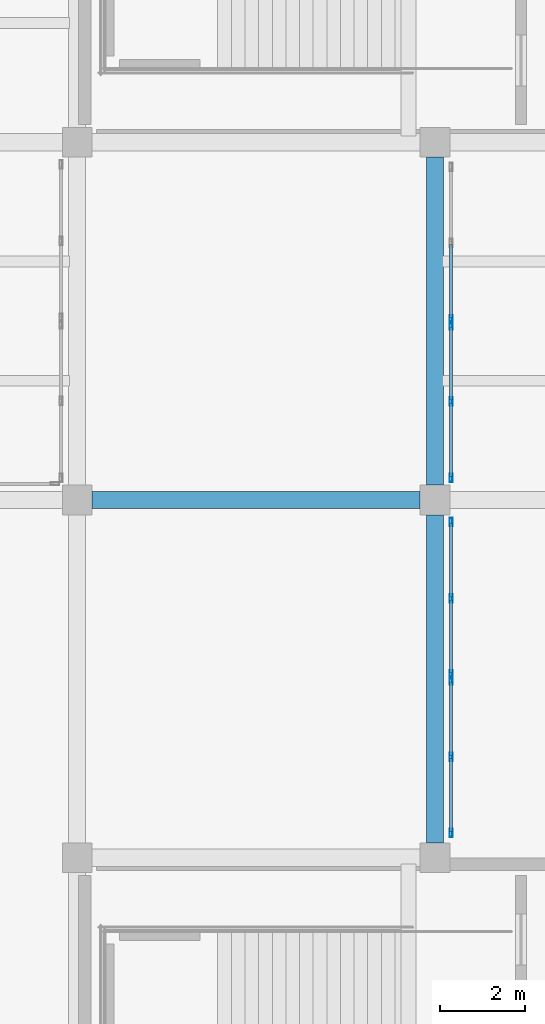
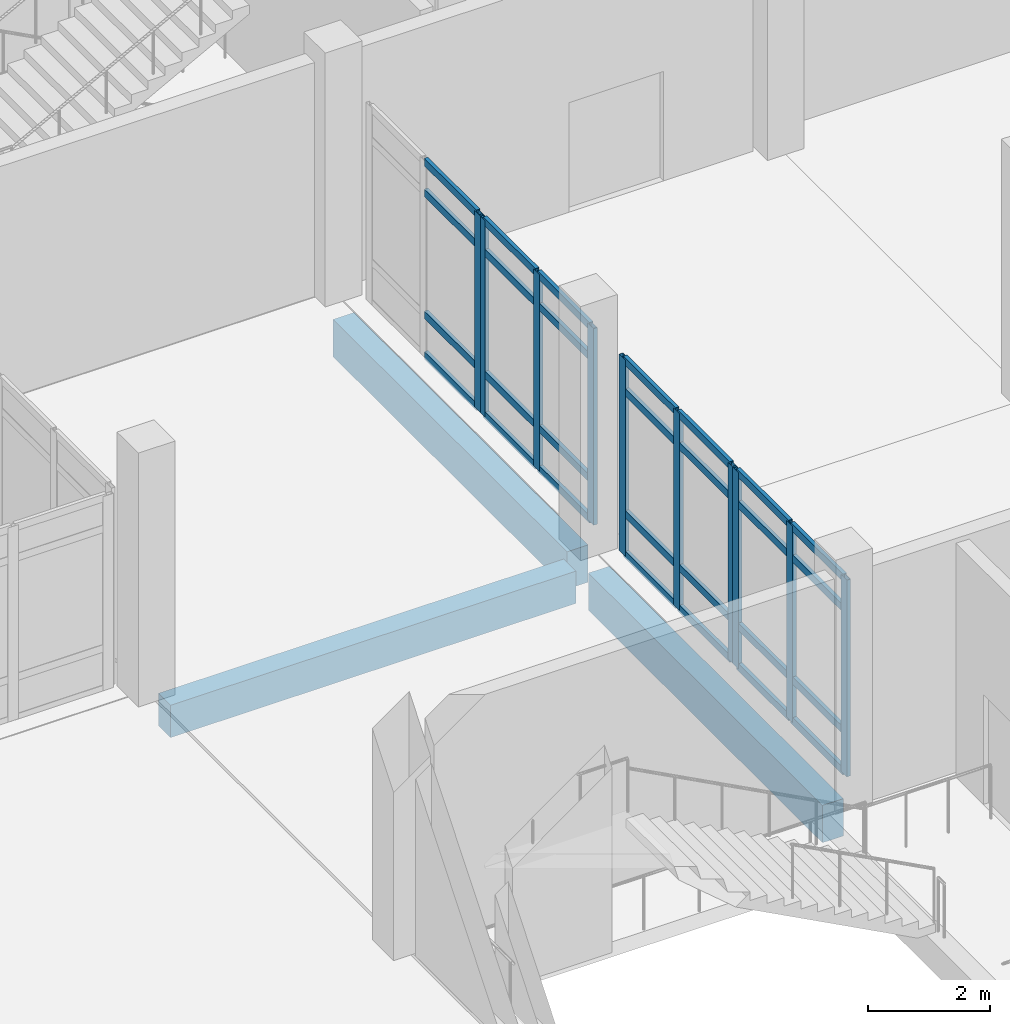
# One storey, part 16 of 64: 38 members, 3 beams, 4 elements without a shape of their own.
"""IFC4 building model written with IfcOpenShell, lengths in metres."""

from ifc_helpers import new_model, si_unit, derived_unit, direction, frame, origin, origin_2d, place, context, subcontext, project, spatial, rectangle, hollow_rectangle, extrude, material, layer, layer_set, material_profile, profile_set, type_object, element, aggregate, save


model = new_model("IFC4")

# Units and contexts
model_context = context("Model", 3, precision=1e-05, world=origin(), true_north=direction((0.0, 1.0)))
body_context = subcontext(model_context, "Body", "Model", "MODEL_VIEW")
ifc_project = project(units=[si_unit("LENGTHUNIT", "METRE"), si_unit("AREAUNIT", "SQUARE_METRE"), si_unit("VOLUMEUNIT", "CUBIC_METRE"), si_unit("PLANEANGLEUNIT", "RADIAN"), si_unit("MASSUNIT", "GRAM", prefix="KILO"), derived_unit("THERMALTRANSMITTANCEUNIT", [(si_unit("POWERUNIT", "WATT"), 1), (si_unit("LENGTHUNIT", "METRE"), -2), (si_unit("THERMODYNAMICTEMPERATUREUNIT", "KELVIN"), -1)])], contexts=[model_context])

# Site, building, storey
site_placement = place(None, origin())
site = spatial("IfcSite", under=ifc_project, at=site_placement, CompositionType="ELEMENT")
building_placement = place(site_placement, origin())
building = spatial("IfcBuilding", under=site, at=building_placement, Name="Elbkamm Science Centre", CompositionType="ELEMENT")
storey_placement = place(building_placement, origin())
storey = spatial("IfcBuildingStorey", under=building, at=storey_placement, Name="L00", CompositionType="ELEMENT", Elevation=0.0)

# Beams
ifc_material_1 = material(Name="Concrete C40/50", Category="concrete")
ifc_material_profile_1 = material_profile(ifc_material_1, rectangle(XDim=0.39990234375, YDim=0.64990234375, at=origin_2d()), Name="RC 400x650")
ifc_profile_set_1 = profile_set([ifc_material_profile_1], Name="Concrete C40/50")
beam_type_1 = type_object("IfcBeamType", Name="BM-RC-400x650", PredefinedType="BEAM", material=ifc_profile_set_1)
beam_placement = place(storey_placement, frame((126.35009765625, 42.0, -0.625), z_axis=(1.0, 0.0, 0.0), x_axis=(0.0, 1.0, 0.0)))
element("IfcBeam", 1, at=beam_placement, inside=storey, type_object=beam_type_1, Name="L00 Primary X-Girder 045", PredefinedType="BEAM", context=body_context, shape_type="SweptSolid", body=[
    extrude(rectangle(XDim=0.39990234375, YDim=0.64990234375, at=origin_2d()), origin(), (0.0, 0.0, 1.0), 7.699951171875),
])
ifc_material_profile_2 = material_profile(ifc_material_1, rectangle(XDim=0.39990234375, YDim=0.75, at=origin_2d()), Name="RC 400x750")
ifc_profile_set_2 = profile_set([ifc_material_profile_2], Name="Concrete C40/50")
beam_type_2 = type_object("IfcBeamType", Name="BM-RC-400x750", PredefinedType="BEAM", material=ifc_profile_set_2)
for number, where, z_axis, x_axis, name in (
    (2, (134.39990234375, 33.949951171875, -0.675048828125), (0.0, 1.0, 0.0), (-1.0, 0.0, 0.0), "L00 Primary Y-Girder 054"),
    (3, (134.39990234375, 42.35009765625, -0.675048828125), (0.0, 1.0, 0.0), (-1.0, 0.0, 0.0), "L00 Primary Y-Girder 055"),
):
    element("IfcBeam", number, at=place(storey_placement, frame(where, z_axis=z_axis, x_axis=x_axis)), inside=storey, type_object=beam_type_2, Name=name, PredefinedType="BEAM", context=body_context, shape_type="SweptSolid", body=[
        extrude(rectangle(XDim=0.39990234375, YDim=0.75, at=origin_2d()), origin(), (0.0, 0.0, 1.0), 7.699951171875),
    ])

# Curtain wall, members
ifc_material_2 = material(Name="Powder-coated aluminium and triple low-E glazing", Category="aluminium")
ifc_layer = layer(ifc_material_2, 0.159912109375)
ifc_layer_set = layer_set([ifc_layer], Name="Powder-coated aluminium and triple low-E glazing")
curtain_wall_type = type_object("IfcCurtainWallType", Name="CW-UNIT-3640x3960", PredefinedType="USERDEFINED", material=ifc_layer_set)
curtain_wall_1_placement = place(storey_placement, origin())
curtain_wall_1 = element("IfcCurtainWall", 4, at=curtain_wall_1_placement, inside=storey, type_object=curtain_wall_type, Name="L00 Unitised Curtain Wall 132", ObjectType="UNITISED CURTAIN WALL", PredefinedType="USERDEFINED")
ifc_material_3 = material(Name="Powder-coated aluminium EN AW-6060", Category="aluminium")
ifc_material_profile_3 = material_profile(ifc_material_3, hollow_rectangle(XDim=0.070068359375, YDim=0.199951171875, WallThickness=0.00439453125, at=origin_2d()), Name="ALU M70x200")
ifc_profile_set_3 = profile_set([ifc_material_profile_3], Name="Powder-coated aluminium EN AW-6060")
member_type_1 = type_object("IfcMemberType", Name="CW-MUL-70x200", PredefinedType="MULLION", material=ifc_profile_set_3)
member_1_placement = place(storey_placement, frame((134.780029296875, 34.18505859375, 0.0), z_axis=(0.0, 0.0, 1.0), x_axis=(-1.0, 0.0, 0.0)))
member_1 = element("IfcMember", 5, at=member_1_placement, type_object=member_type_1, Name="CW-063 mullion 1", PredefinedType="MULLION", context=body_context, shape_type="SweptSolid", body=[
    extrude(hollow_rectangle(XDim=0.070068359375, YDim=0.199951171875, WallThickness=0.00439453125, at=origin_2d()), origin(), (0.0, 0.0, 1.0), 3.949951171875),
])
member_2_placement = place(storey_placement, frame((134.780029296875, 35.970947265625, 0.0), z_axis=(0.0, 0.0, 1.0), x_axis=(-1.0, 0.0, 0.0)))
member_2 = element("IfcMember", 6, at=member_2_placement, type_object=member_type_1, Name="CW-063 mullion 2", PredefinedType="MULLION", context=body_context, shape_type="SweptSolid", body=[
    extrude(hollow_rectangle(XDim=0.070068359375, YDim=0.199951171875, WallThickness=0.00439453125, at=origin_2d()), origin(), (0.0, 0.0, 1.0), 3.949951171875),
])
member_3_placement = place(storey_placement, frame((134.780029296875, 37.7568359375, 0.0), z_axis=(0.0, 0.0, 1.0), x_axis=(-1.0, 0.0, 0.0)))
member_3 = element("IfcMember", 7, at=member_3_placement, type_object=member_type_1, Name="CW-063 mullion 3", PredefinedType="MULLION", context=body_context, shape_type="SweptSolid", body=[
    extrude(hollow_rectangle(XDim=0.070068359375, YDim=0.199951171875, WallThickness=0.00439453125, at=origin_2d()), origin(), (0.0, 0.0, 1.0), 3.949951171875),
])

curtain_wall_2_placement = place(storey_placement, origin())
curtain_wall_2 = element("IfcCurtainWall", 8, at=curtain_wall_2_placement, inside=storey, type_object=curtain_wall_type, Name="L00 Unitised Curtain Wall 133", ObjectType="UNITISED CURTAIN WALL", PredefinedType="USERDEFINED")
member_4_placement = place(storey_placement, frame((134.780029296875, 37.906982421875, 0.0), z_axis=(0.0, 0.0, 1.0), x_axis=(-1.0, 0.0, 0.0)))
member_4 = element("IfcMember", 9, at=member_4_placement, type_object=member_type_1, Name="CW-063 mullion 1", PredefinedType="MULLION", context=body_context, shape_type="SweptSolid", body=[
    extrude(hollow_rectangle(XDim=0.070068359375, YDim=0.199951171875, WallThickness=0.00439453125, at=origin_2d()), origin(), (0.0, 0.0, 1.0), 3.949951171875),
])
member_5_placement = place(storey_placement, frame((134.780029296875, 39.69287109375, 0.0), z_axis=(0.0, 0.0, 1.0), x_axis=(-1.0, 0.0, 0.0)))
member_5 = element("IfcMember", 10, at=member_5_placement, type_object=member_type_1, Name="CW-063 mullion 2", PredefinedType="MULLION", context=body_context, shape_type="SweptSolid", body=[
    extrude(hollow_rectangle(XDim=0.070068359375, YDim=0.199951171875, WallThickness=0.00439453125, at=origin_2d()), origin(), (0.0, 0.0, 1.0), 3.949951171875),
])
member_6_placement = place(storey_placement, frame((134.780029296875, 41.478759765625, 0.0), z_axis=(0.0, 0.0, 1.0), x_axis=(-1.0, 0.0, 0.0)))
member_6 = element("IfcMember", 11, at=member_6_placement, type_object=member_type_1, Name="CW-063 mullion 3", PredefinedType="MULLION", context=body_context, shape_type="SweptSolid", body=[
    extrude(hollow_rectangle(XDim=0.070068359375, YDim=0.199951171875, WallThickness=0.00439453125, at=origin_2d()), origin(), (0.0, 0.0, 1.0), 3.949951171875),
])

curtain_wall_3_placement = place(storey_placement, origin())
curtain_wall_3 = element("IfcCurtainWall", 12, at=curtain_wall_3_placement, inside=storey, type_object=curtain_wall_type, Name="L00 Unitised Curtain Wall 134", ObjectType="UNITISED CURTAIN WALL", PredefinedType="USERDEFINED")
member_7_placement = place(storey_placement, frame((134.780029296875, 42.521240234375, 0.0), z_axis=(0.0, 0.0, 1.0), x_axis=(-1.0, 0.0, 0.0)))
member_7 = element("IfcMember", 13, at=member_7_placement, type_object=member_type_1, Name="CW-063 mullion 1", PredefinedType="MULLION", context=body_context, shape_type="SweptSolid", body=[
    extrude(hollow_rectangle(XDim=0.070068359375, YDim=0.199951171875, WallThickness=0.00439453125, at=origin_2d()), origin(), (0.0, 0.0, 1.0), 3.949951171875),
])
member_8_placement = place(storey_placement, frame((134.780029296875, 44.30712890625, 0.0), z_axis=(0.0, 0.0, 1.0), x_axis=(-1.0, 0.0, 0.0)))
member_8 = element("IfcMember", 14, at=member_8_placement, type_object=member_type_1, Name="CW-063 mullion 2", PredefinedType="MULLION", context=body_context, shape_type="SweptSolid", body=[
    extrude(hollow_rectangle(XDim=0.070068359375, YDim=0.199951171875, WallThickness=0.00439453125, at=origin_2d()), origin(), (0.0, 0.0, 1.0), 3.949951171875),
])
member_9_placement = place(storey_placement, frame((134.780029296875, 46.093017578125, 0.0), z_axis=(0.0, 0.0, 1.0), x_axis=(-1.0, 0.0, 0.0)))
member_9 = element("IfcMember", 15, at=member_9_placement, type_object=member_type_1, Name="CW-063 mullion 3", PredefinedType="MULLION", context=body_context, shape_type="SweptSolid", body=[
    extrude(hollow_rectangle(XDim=0.070068359375, YDim=0.199951171875, WallThickness=0.00439453125, at=origin_2d()), origin(), (0.0, 0.0, 1.0), 3.949951171875),
])

# Curtain wall, member
curtain_wall_4_placement = place(storey_placement, origin())
curtain_wall_4 = element("IfcCurtainWall", 16, at=curtain_wall_4_placement, inside=storey, type_object=curtain_wall_type, Name="L00 Unitised Curtain Wall 135", ObjectType="UNITISED CURTAIN WALL", PredefinedType="USERDEFINED")
member_10_placement = place(storey_placement, frame((134.780029296875, 46.2431640625, 0.0), z_axis=(0.0, 0.0, 1.0), x_axis=(-1.0, 0.0, 0.0)))
member_10 = element("IfcMember", 17, at=member_10_placement, type_object=member_type_1, Name="CW-063 mullion 1", PredefinedType="MULLION", context=body_context, shape_type="SweptSolid", body=[
    extrude(hollow_rectangle(XDim=0.070068359375, YDim=0.199951171875, WallThickness=0.00439453125, at=origin_2d()), origin(), (0.0, 0.0, 1.0), 3.949951171875),
])

# Member
ifc_material_profile_4 = material_profile(ifc_material_3, hollow_rectangle(XDim=0.070068359375, YDim=0.14990234375, WallThickness=0.00390625, at=origin_2d()), Name="ALU T70x150")
ifc_profile_set_4 = profile_set([ifc_material_profile_4], Name="Powder-coated aluminium EN AW-6060")
member_type_2 = type_object("IfcMemberType", Name="CW-TRN-70x150", PredefinedType="USERDEFINED", material=ifc_profile_set_4)
member_11_placement = place(storey_placement, frame((134.780029296875, 34.219970703125, 0.034912109375), z_axis=(0.0, 1.0, 0.0), x_axis=(-1.0, 0.0, 0.0)))
member_11 = element("IfcMember", 18, at=member_11_placement, type_object=member_type_2, Name="CW-063 transom 1.1", ObjectType="TRANSOM", PredefinedType="USERDEFINED", context=body_context, shape_type="SweptSolid", body=[
    extrude(hollow_rectangle(XDim=0.070068359375, YDim=0.14990234375, WallThickness=0.00390625, at=origin_2d()), origin(), (0.0, 0.0, 1.0), 1.716064453125),
])

member_12_placement = place(storey_placement, frame((134.780029296875, 34.219970703125, 0.85009765625), z_axis=(0.0, 1.0, 0.0), x_axis=(-1.0, 0.0, 0.0)))
member_12 = element("IfcMember", 19, at=member_12_placement, type_object=member_type_2, Name="CW-063 transom 1.2", ObjectType="TRANSOM", PredefinedType="USERDEFINED", context=body_context, shape_type="SweptSolid", body=[
    extrude(hollow_rectangle(XDim=0.070068359375, YDim=0.14990234375, WallThickness=0.00390625, at=origin_2d()), origin(), (0.0, 0.0, 1.0), 1.716064453125),
])

member_13_placement = place(storey_placement, frame((134.780029296875, 34.219970703125, 3.300048828125), z_axis=(0.0, 1.0, 0.0), x_axis=(-1.0, 0.0, 0.0)))
member_13 = element("IfcMember", 20, at=member_13_placement, type_object=member_type_2, Name="CW-063 transom 1.3", ObjectType="TRANSOM", PredefinedType="USERDEFINED", context=body_context, shape_type="SweptSolid", body=[
    extrude(hollow_rectangle(XDim=0.070068359375, YDim=0.14990234375, WallThickness=0.00390625, at=origin_2d()), origin(), (0.0, 0.0, 1.0), 1.716064453125),
])

member_14_placement = place(storey_placement, frame((134.780029296875, 34.219970703125, 3.9150390625), z_axis=(0.0, 1.0, 0.0), x_axis=(-1.0, 0.0, 0.0)))
member_14 = element("IfcMember", 21, at=member_14_placement, type_object=member_type_2, Name="CW-063 transom 1.4", ObjectType="TRANSOM", PredefinedType="USERDEFINED", context=body_context, shape_type="SweptSolid", body=[
    extrude(hollow_rectangle(XDim=0.070068359375, YDim=0.14990234375, WallThickness=0.00390625, at=origin_2d()), origin(), (0.0, 0.0, 1.0), 1.716064453125),
])

member_15_placement = place(storey_placement, frame((134.780029296875, 36.005859375, 0.034912109375), z_axis=(0.0, 1.0, 0.0), x_axis=(-1.0, 0.0, 0.0)))
member_15 = element("IfcMember", 22, at=member_15_placement, type_object=member_type_2, Name="CW-063 transom 2.1", ObjectType="TRANSOM", PredefinedType="USERDEFINED", context=body_context, shape_type="SweptSolid", body=[
    extrude(hollow_rectangle(XDim=0.070068359375, YDim=0.14990234375, WallThickness=0.00390625, at=origin_2d()), origin(), (0.0, 0.0, 1.0), 1.716064453125),
])

member_16_placement = place(storey_placement, frame((134.780029296875, 36.005859375, 0.85009765625), z_axis=(0.0, 1.0, 0.0), x_axis=(-1.0, 0.0, 0.0)))
member_16 = element("IfcMember", 23, at=member_16_placement, type_object=member_type_2, Name="CW-063 transom 2.2", ObjectType="TRANSOM", PredefinedType="USERDEFINED", context=body_context, shape_type="SweptSolid", body=[
    extrude(hollow_rectangle(XDim=0.070068359375, YDim=0.14990234375, WallThickness=0.00390625, at=origin_2d()), origin(), (0.0, 0.0, 1.0), 1.716064453125),
])

member_17_placement = place(storey_placement, frame((134.780029296875, 36.005859375, 3.300048828125), z_axis=(0.0, 1.0, 0.0), x_axis=(-1.0, 0.0, 0.0)))
member_17 = element("IfcMember", 24, at=member_17_placement, type_object=member_type_2, Name="CW-063 transom 2.3", ObjectType="TRANSOM", PredefinedType="USERDEFINED", context=body_context, shape_type="SweptSolid", body=[
    extrude(hollow_rectangle(XDim=0.070068359375, YDim=0.14990234375, WallThickness=0.00390625, at=origin_2d()), origin(), (0.0, 0.0, 1.0), 1.716064453125),
])

member_18_placement = place(storey_placement, frame((134.780029296875, 36.005859375, 3.9150390625), z_axis=(0.0, 1.0, 0.0), x_axis=(-1.0, 0.0, 0.0)))
member_18 = element("IfcMember", 25, at=member_18_placement, type_object=member_type_2, Name="CW-063 transom 2.4", ObjectType="TRANSOM", PredefinedType="USERDEFINED", context=body_context, shape_type="SweptSolid", body=[
    extrude(hollow_rectangle(XDim=0.070068359375, YDim=0.14990234375, WallThickness=0.00390625, at=origin_2d()), origin(), (0.0, 0.0, 1.0), 1.716064453125),
])

aggregate(curtain_wall_1, [member_1, member_2, member_3, member_11, member_12, member_13, member_14, member_15, member_16, member_17, member_18])

member_19_placement = place(storey_placement, frame((134.780029296875, 37.94189453125, 0.034912109375), z_axis=(0.0, 1.0, 0.0), x_axis=(-1.0, 0.0, 0.0)))
member_19 = element("IfcMember", 26, at=member_19_placement, type_object=member_type_2, Name="CW-063 transom 1.1", ObjectType="TRANSOM", PredefinedType="USERDEFINED", context=body_context, shape_type="SweptSolid", body=[
    extrude(hollow_rectangle(XDim=0.070068359375, YDim=0.14990234375, WallThickness=0.00390625, at=origin_2d()), origin(), (0.0, 0.0, 1.0), 1.7158203125),
])

member_20_placement = place(storey_placement, frame((134.780029296875, 37.94189453125, 0.85009765625), z_axis=(0.0, 1.0, 0.0), x_axis=(-1.0, 0.0, 0.0)))
member_20 = element("IfcMember", 27, at=member_20_placement, type_object=member_type_2, Name="CW-063 transom 1.2", ObjectType="TRANSOM", PredefinedType="USERDEFINED", context=body_context, shape_type="SweptSolid", body=[
    extrude(hollow_rectangle(XDim=0.070068359375, YDim=0.14990234375, WallThickness=0.00390625, at=origin_2d()), origin(), (0.0, 0.0, 1.0), 1.7158203125),
])

member_21_placement = place(storey_placement, frame((134.780029296875, 37.94189453125, 3.300048828125), z_axis=(0.0, 1.0, 0.0), x_axis=(-1.0, 0.0, 0.0)))
member_21 = element("IfcMember", 28, at=member_21_placement, type_object=member_type_2, Name="CW-063 transom 1.3", ObjectType="TRANSOM", PredefinedType="USERDEFINED", context=body_context, shape_type="SweptSolid", body=[
    extrude(hollow_rectangle(XDim=0.070068359375, YDim=0.14990234375, WallThickness=0.00390625, at=origin_2d()), origin(), (0.0, 0.0, 1.0), 1.7158203125),
])

member_22_placement = place(storey_placement, frame((134.780029296875, 37.94189453125, 3.9150390625), z_axis=(0.0, 1.0, 0.0), x_axis=(-1.0, 0.0, 0.0)))
member_22 = element("IfcMember", 29, at=member_22_placement, type_object=member_type_2, Name="CW-063 transom 1.4", ObjectType="TRANSOM", PredefinedType="USERDEFINED", context=body_context, shape_type="SweptSolid", body=[
    extrude(hollow_rectangle(XDim=0.070068359375, YDim=0.14990234375, WallThickness=0.00390625, at=origin_2d()), origin(), (0.0, 0.0, 1.0), 1.7158203125),
])

member_23_placement = place(storey_placement, frame((134.780029296875, 39.727783203125, 0.034912109375), z_axis=(0.0, 1.0, 0.0), x_axis=(-1.0, 0.0, 0.0)))
member_23 = element("IfcMember", 30, at=member_23_placement, type_object=member_type_2, Name="CW-063 transom 2.1", ObjectType="TRANSOM", PredefinedType="USERDEFINED", context=body_context, shape_type="SweptSolid", body=[
    extrude(hollow_rectangle(XDim=0.070068359375, YDim=0.14990234375, WallThickness=0.00390625, at=origin_2d()), origin(), (0.0, 0.0, 1.0), 1.7158203125),
])

member_24_placement = place(storey_placement, frame((134.780029296875, 39.727783203125, 0.85009765625), z_axis=(0.0, 1.0, 0.0), x_axis=(-1.0, 0.0, 0.0)))
member_24 = element("IfcMember", 31, at=member_24_placement, type_object=member_type_2, Name="CW-063 transom 2.2", ObjectType="TRANSOM", PredefinedType="USERDEFINED", context=body_context, shape_type="SweptSolid", body=[
    extrude(hollow_rectangle(XDim=0.070068359375, YDim=0.14990234375, WallThickness=0.00390625, at=origin_2d()), origin(), (0.0, 0.0, 1.0), 1.7158203125),
])

member_25_placement = place(storey_placement, frame((134.780029296875, 39.727783203125, 3.300048828125), z_axis=(0.0, 1.0, 0.0), x_axis=(-1.0, 0.0, 0.0)))
member_25 = element("IfcMember", 32, at=member_25_placement, type_object=member_type_2, Name="CW-063 transom 2.3", ObjectType="TRANSOM", PredefinedType="USERDEFINED", context=body_context, shape_type="SweptSolid", body=[
    extrude(hollow_rectangle(XDim=0.070068359375, YDim=0.14990234375, WallThickness=0.00390625, at=origin_2d()), origin(), (0.0, 0.0, 1.0), 1.7158203125),
])

member_26_placement = place(storey_placement, frame((134.780029296875, 39.727783203125, 3.9150390625), z_axis=(0.0, 1.0, 0.0), x_axis=(-1.0, 0.0, 0.0)))
member_26 = element("IfcMember", 33, at=member_26_placement, type_object=member_type_2, Name="CW-063 transom 2.4", ObjectType="TRANSOM", PredefinedType="USERDEFINED", context=body_context, shape_type="SweptSolid", body=[
    extrude(hollow_rectangle(XDim=0.070068359375, YDim=0.14990234375, WallThickness=0.00390625, at=origin_2d()), origin(), (0.0, 0.0, 1.0), 1.7158203125),
])

aggregate(curtain_wall_2, [member_4, member_5, member_6, member_19, member_20, member_21, member_22, member_23, member_24, member_25, member_26])

member_27_placement = place(storey_placement, frame((134.780029296875, 42.556396484375, 0.034912109375), z_axis=(0.0, 1.0, 0.0), x_axis=(-1.0, 0.0, 0.0)))
member_27 = element("IfcMember", 34, at=member_27_placement, type_object=member_type_2, Name="CW-063 transom 1.1", ObjectType="TRANSOM", PredefinedType="USERDEFINED", context=body_context, shape_type="SweptSolid", body=[
    extrude(hollow_rectangle(XDim=0.070068359375, YDim=0.14990234375, WallThickness=0.00390625, at=origin_2d()), origin(), (0.0, 0.0, 1.0), 1.7158203125),
])

member_28_placement = place(storey_placement, frame((134.780029296875, 42.556396484375, 0.85009765625), z_axis=(0.0, 1.0, 0.0), x_axis=(-1.0, 0.0, 0.0)))
member_28 = element("IfcMember", 35, at=member_28_placement, type_object=member_type_2, Name="CW-063 transom 1.2", ObjectType="TRANSOM", PredefinedType="USERDEFINED", context=body_context, shape_type="SweptSolid", body=[
    extrude(hollow_rectangle(XDim=0.070068359375, YDim=0.14990234375, WallThickness=0.00390625, at=origin_2d()), origin(), (0.0, 0.0, 1.0), 1.7158203125),
])

member_29_placement = place(storey_placement, frame((134.780029296875, 42.556396484375, 3.300048828125), z_axis=(0.0, 1.0, 0.0), x_axis=(-1.0, 0.0, 0.0)))
member_29 = element("IfcMember", 36, at=member_29_placement, type_object=member_type_2, Name="CW-063 transom 1.3", ObjectType="TRANSOM", PredefinedType="USERDEFINED", context=body_context, shape_type="SweptSolid", body=[
    extrude(hollow_rectangle(XDim=0.070068359375, YDim=0.14990234375, WallThickness=0.00390625, at=origin_2d()), origin(), (0.0, 0.0, 1.0), 1.7158203125),
])

member_30_placement = place(storey_placement, frame((134.780029296875, 42.556396484375, 3.9150390625), z_axis=(0.0, 1.0, 0.0), x_axis=(-1.0, 0.0, 0.0)))
member_30 = element("IfcMember", 37, at=member_30_placement, type_object=member_type_2, Name="CW-063 transom 1.4", ObjectType="TRANSOM", PredefinedType="USERDEFINED", context=body_context, shape_type="SweptSolid", body=[
    extrude(hollow_rectangle(XDim=0.070068359375, YDim=0.14990234375, WallThickness=0.00390625, at=origin_2d()), origin(), (0.0, 0.0, 1.0), 1.7158203125),
])

member_31_placement = place(storey_placement, frame((134.780029296875, 44.34228515625, 0.034912109375), z_axis=(0.0, 1.0, 0.0), x_axis=(-1.0, 0.0, 0.0)))
member_31 = element("IfcMember", 38, at=member_31_placement, type_object=member_type_2, Name="CW-063 transom 2.1", ObjectType="TRANSOM", PredefinedType="USERDEFINED", context=body_context, shape_type="SweptSolid", body=[
    extrude(hollow_rectangle(XDim=0.070068359375, YDim=0.14990234375, WallThickness=0.00390625, at=origin_2d()), origin(), (0.0, 0.0, 1.0), 1.7158203125),
])

member_32_placement = place(storey_placement, frame((134.780029296875, 44.34228515625, 0.85009765625), z_axis=(0.0, 1.0, 0.0), x_axis=(-1.0, 0.0, 0.0)))
member_32 = element("IfcMember", 39, at=member_32_placement, type_object=member_type_2, Name="CW-063 transom 2.2", ObjectType="TRANSOM", PredefinedType="USERDEFINED", context=body_context, shape_type="SweptSolid", body=[
    extrude(hollow_rectangle(XDim=0.070068359375, YDim=0.14990234375, WallThickness=0.00390625, at=origin_2d()), origin(), (0.0, 0.0, 1.0), 1.7158203125),
])

member_33_placement = place(storey_placement, frame((134.780029296875, 44.34228515625, 3.300048828125), z_axis=(0.0, 1.0, 0.0), x_axis=(-1.0, 0.0, 0.0)))
member_33 = element("IfcMember", 40, at=member_33_placement, type_object=member_type_2, Name="CW-063 transom 2.3", ObjectType="TRANSOM", PredefinedType="USERDEFINED", context=body_context, shape_type="SweptSolid", body=[
    extrude(hollow_rectangle(XDim=0.070068359375, YDim=0.14990234375, WallThickness=0.00390625, at=origin_2d()), origin(), (0.0, 0.0, 1.0), 1.7158203125),
])

member_34_placement = place(storey_placement, frame((134.780029296875, 44.34228515625, 3.9150390625), z_axis=(0.0, 1.0, 0.0), x_axis=(-1.0, 0.0, 0.0)))
member_34 = element("IfcMember", 41, at=member_34_placement, type_object=member_type_2, Name="CW-063 transom 2.4", ObjectType="TRANSOM", PredefinedType="USERDEFINED", context=body_context, shape_type="SweptSolid", body=[
    extrude(hollow_rectangle(XDim=0.070068359375, YDim=0.14990234375, WallThickness=0.00390625, at=origin_2d()), origin(), (0.0, 0.0, 1.0), 1.7158203125),
])

aggregate(curtain_wall_3, [member_7, member_8, member_9, member_27, member_28, member_29, member_30, member_31, member_32, member_33, member_34])

member_35_placement = place(storey_placement, frame((134.780029296875, 46.278076171875, 0.034912109375), z_axis=(0.0, 1.0, 0.0), x_axis=(-1.0, 0.0, 0.0)))
member_35 = element("IfcMember", 42, at=member_35_placement, type_object=member_type_2, Name="CW-063 transom 1.1", ObjectType="TRANSOM", PredefinedType="USERDEFINED", context=body_context, shape_type="SweptSolid", body=[
    extrude(hollow_rectangle(XDim=0.070068359375, YDim=0.14990234375, WallThickness=0.00390625, at=origin_2d()), origin(), (0.0, 0.0, 1.0), 1.716064453125),
])

member_36_placement = place(storey_placement, frame((134.780029296875, 46.278076171875, 0.85009765625), z_axis=(0.0, 1.0, 0.0), x_axis=(-1.0, 0.0, 0.0)))
member_36 = element("IfcMember", 43, at=member_36_placement, type_object=member_type_2, Name="CW-063 transom 1.2", ObjectType="TRANSOM", PredefinedType="USERDEFINED", context=body_context, shape_type="SweptSolid", body=[
    extrude(hollow_rectangle(XDim=0.070068359375, YDim=0.14990234375, WallThickness=0.00390625, at=origin_2d()), origin(), (0.0, 0.0, 1.0), 1.716064453125),
])

member_37_placement = place(storey_placement, frame((134.780029296875, 46.278076171875, 3.300048828125), z_axis=(0.0, 1.0, 0.0), x_axis=(-1.0, 0.0, 0.0)))
member_37 = element("IfcMember", 44, at=member_37_placement, type_object=member_type_2, Name="CW-063 transom 1.3", ObjectType="TRANSOM", PredefinedType="USERDEFINED", context=body_context, shape_type="SweptSolid", body=[
    extrude(hollow_rectangle(XDim=0.070068359375, YDim=0.14990234375, WallThickness=0.00390625, at=origin_2d()), origin(), (0.0, 0.0, 1.0), 1.716064453125),
])

member_38_placement = place(storey_placement, frame((134.780029296875, 46.278076171875, 3.9150390625), z_axis=(0.0, 1.0, 0.0), x_axis=(-1.0, 0.0, 0.0)))
member_38 = element("IfcMember", 45, at=member_38_placement, type_object=member_type_2, Name="CW-063 transom 1.4", ObjectType="TRANSOM", PredefinedType="USERDEFINED", context=body_context, shape_type="SweptSolid", body=[
    extrude(hollow_rectangle(XDim=0.070068359375, YDim=0.14990234375, WallThickness=0.00390625, at=origin_2d()), origin(), (0.0, 0.0, 1.0), 1.716064453125),
])

aggregate(curtain_wall_4, [member_10, member_35, member_36, member_37, member_38])

save(model, "model.ifc")
